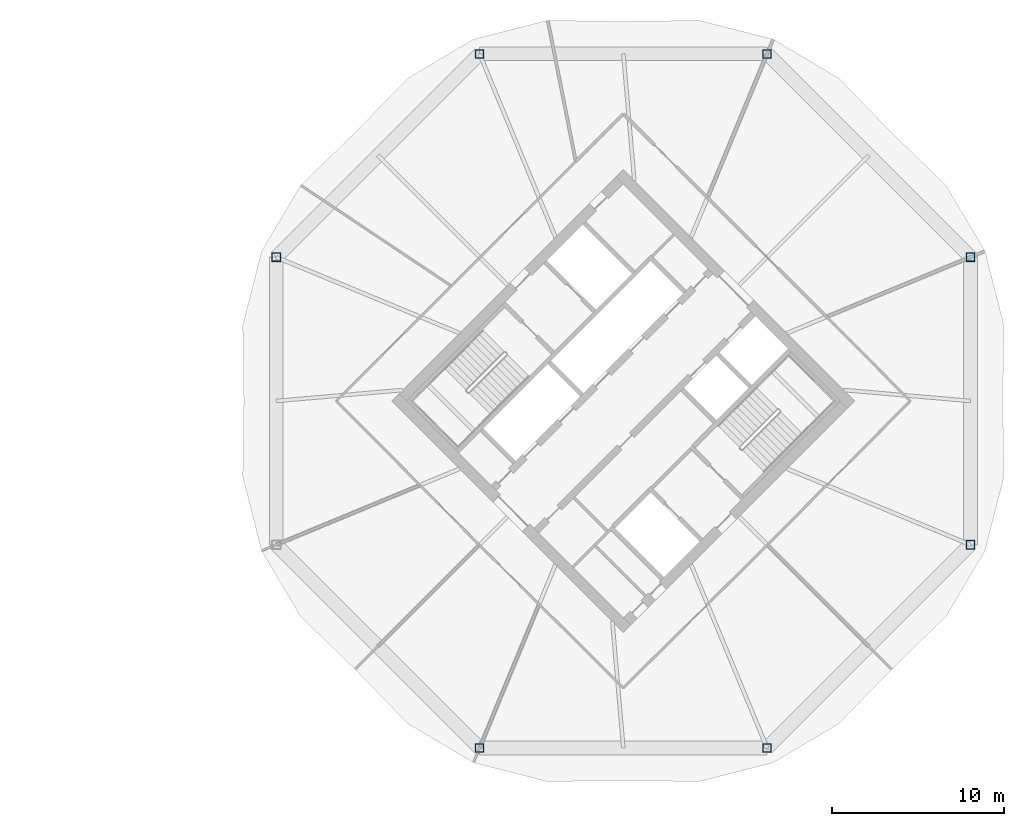
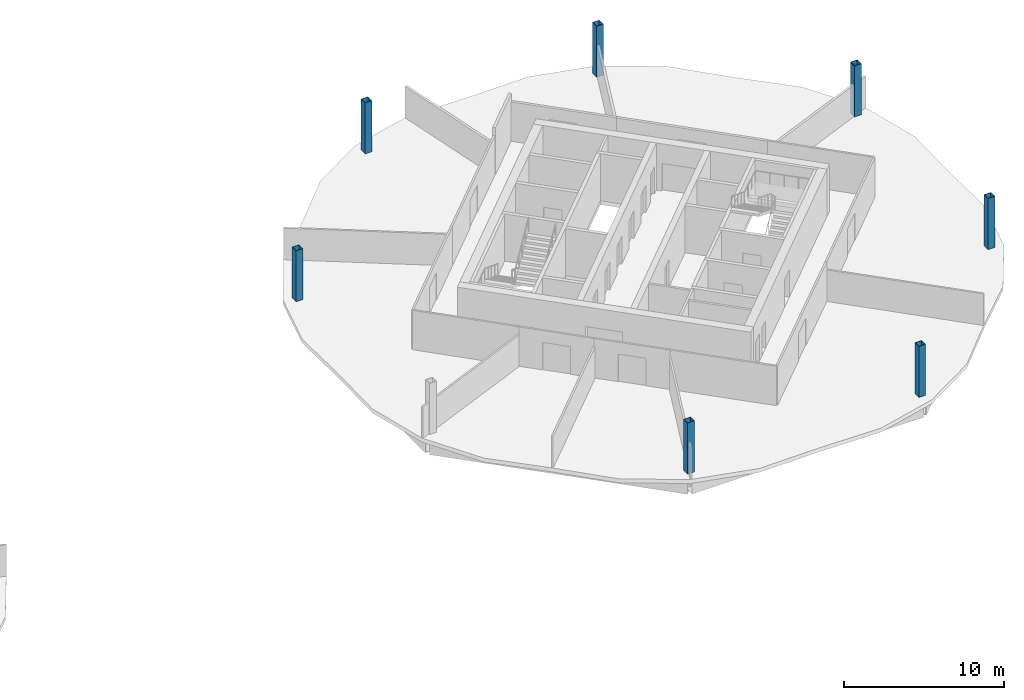
# One storey, part 2 of 10: 7 columns.
"""IFC4 building model written with IfcOpenShell, lengths in metres."""

from ifc_helpers import new_model, si_unit, direction, frame, origin, origin_2d, place, context, subcontext, project, spatial, hollow_rectangle, extrude, material, material_profile, profile_set, type_object, element, save


model = new_model("IFC4")

# Units and contexts
model_context = context("Model", 3, precision=1e-05, world=origin(), true_north=direction((0.0, 1.0)))
body_context = subcontext(model_context, "Body", "Model", "MODEL_VIEW")
ifc_project = project(units=[si_unit("LENGTHUNIT", "METRE"), si_unit("AREAUNIT", "SQUARE_METRE"), si_unit("VOLUMEUNIT", "CUBIC_METRE"), si_unit("PLANEANGLEUNIT", "RADIAN"), si_unit("MASSUNIT", "GRAM", prefix="KILO")], contexts=[model_context])

# Site, building, storey
site_placement = place(None, origin())
site = spatial("IfcSite", under=ifc_project, at=site_placement, CompositionType="ELEMENT")
building_placement = place(site_placement, origin())
building = spatial("IfcBuilding", under=site, at=building_placement, Name="Ogive Gate Towers", CompositionType="ELEMENT")
storey_placement = place(building_placement, frame((0.0, 0.0, 169.5)))
storey = spatial("IfcBuildingStorey", under=building, at=storey_placement, Name="L40", CompositionType="ELEMENT", Elevation=169.5)

# Columns
ifc_material = material(Name="Steel SM460", Category="steel")
ifc_material_profile = material_profile(ifc_material, hollow_rectangle(XDim=0.5, YDim=0.5, WallThickness=0.030029296875, at=origin_2d()), Name="BX 500x500x30")
ifc_profile_set = profile_set([ifc_material_profile], Name="Steel SM460")
column_type = type_object("IfcColumnType", Name="Perimeter post BX 500x500x30", PredefinedType="COLUMN", material=ifc_profile_set)
for number, where, z_axis, x_axis, name in (
    (1, (56.14990234375, 8.346435546875, 0.0), (0.0, 0.0, 1.0), (1.0, 0.0, 0.0), "T2/L40/SCL001"),
    (2, (44.346435546875, 20.14990234375, 0.0), (0.0, 0.0, 1.0), (1.0, 0.0, 0.0), "T2/L40/SCL002"),
    (3, (27.653564453125, 20.14990234375, 0.0), (0.0, 0.0, 1.0), (1.0, 0.0, 0.0), "T2/L40/SCL003"),
    (4, (15.85009765625, 8.346435546875, 0.0), (0.0, 0.0, 1.0), (1.0, 0.0, 0.0), "T2/L40/SCL004"),
    (5, (27.653564453125, -20.14990234375, 0.0), (0.0, 0.0, 1.0), (1.0, 0.0, 0.0), "T2/L40/SCL006"),
    (6, (44.346435546875, -20.14990234375, 0.0), (0.0, 0.0, 1.0), (1.0, 0.0, 0.0), "T2/L40/SCL007"),
    (7, (56.14990234375, -8.346435546875, 0.0), (0.0, 0.0, 1.0), (1.0, 0.0, 0.0), "T2/L40/SCL008"),
):
    element("IfcColumn", number, at=place(storey_placement, frame(where, z_axis=z_axis, x_axis=x_axis)), inside=storey, type_object=column_type, Name=name, PredefinedType="COLUMN", context=body_context, shape_type="SweptSolid", body=[
        extrude(hollow_rectangle(XDim=0.5, YDim=0.5, WallThickness=0.030029296875, at=origin_2d()), origin(), (0.0, 0.0, 1.0), 3.89990234375),
    ])

save(model, "model.ifc")
